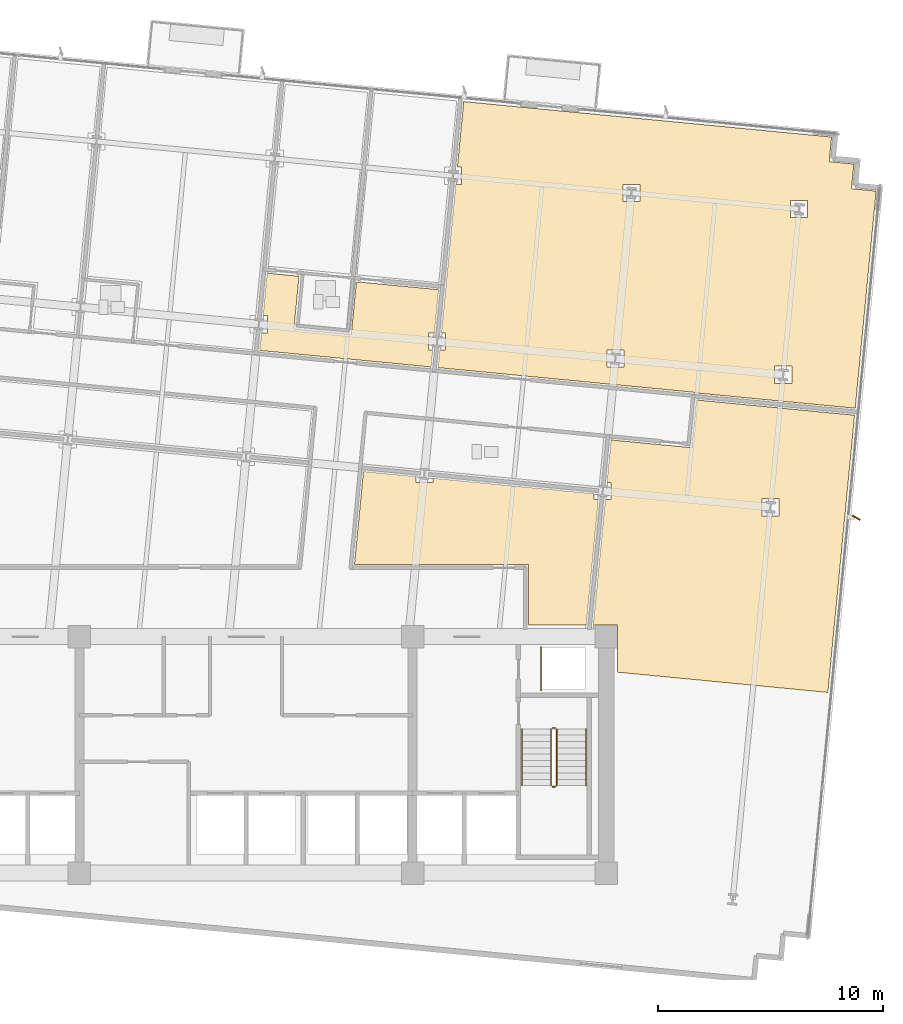
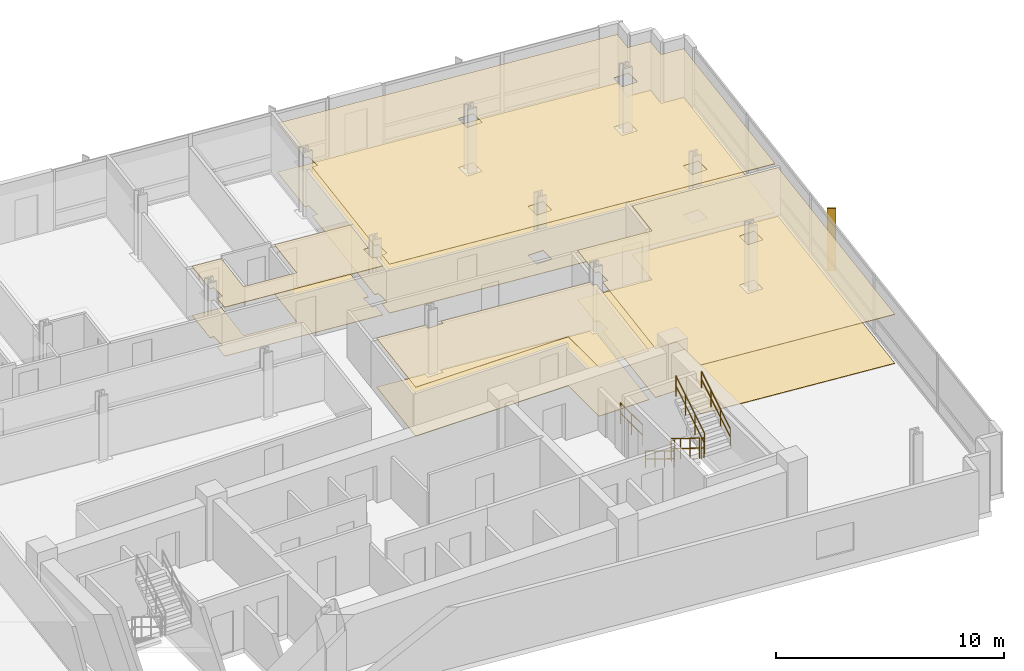
# One storey, part 15 of 17: 8 coverings, 7 railings, 1 shading device.
"""IFC4 building model written with IfcOpenShell, lengths in metres."""

from ifc_helpers import new_model, si_unit, direction, frame, origin, origin_2d, place, context, subcontext, project, spatial, polyline, rectangle, circle, outline, extrude, material, layer, layer_set, type_object, element, save


model = new_model("IFC4")

# Units and contexts
model_context = context("Model", 3, precision=1e-05, world=origin(), true_north=direction((0.0, 1.0)))
body_context = subcontext(model_context, "Body", "Model", "MODEL_VIEW")
ifc_project = project(units=[si_unit("LENGTHUNIT", "METRE"), si_unit("AREAUNIT", "SQUARE_METRE"), si_unit("VOLUMEUNIT", "CUBIC_METRE"), si_unit("PLANEANGLEUNIT", "RADIAN"), si_unit("MASSUNIT", "GRAM", prefix="KILO")], contexts=[model_context])

# Site, building, storey
site_placement = place(None, origin())
site = spatial("IfcSite", under=ifc_project, at=site_placement, CompositionType="ELEMENT")
building_placement = place(site_placement, origin())
building = spatial("IfcBuilding", under=site, at=building_placement, Name="Solmavex Isthmus Hotel", CompositionType="ELEMENT")
storey_placement = place(building_placement, frame((0.0, 0.0, 156.60009765625)))
storey = spatial("IfcBuildingStorey", under=building, at=storey_placement, Name="L42", CompositionType="ELEMENT", Elevation=156.60009765625)

# Coverings
ifc_material_1 = material(Name="Gypsum plasterboard lining", Category="gypsum")
ifc_layer_1 = layer(ifc_material_1, 0.030029296875)
ifc_layer_set_1 = layer_set([ifc_layer_1], Name="Gypsum plasterboard lining")
covering_type_1 = type_object("IfcCoveringType", Name="COV-CEIL-GYP", PredefinedType="CEILING", material=ifc_layer_set_1)
covering_1_placement = place(storey_placement, frame((0.0, 0.0, 2.619873046875)))
element("IfcCovering", 1, at=covering_1_placement, inside=storey, type_object=covering_type_1, Name="Suspended Acoustic Ceiling L42-ST05-FY", PredefinedType="CEILING", context=body_context, shape_type="SweptSolid", body=[
    extrude(outline(polyline([(4.9013671875, 13.259521484375), (4.67626953125, 10.920166015625), (2.1279296875, 11.16552734375), (2.353271484375, 13.5048828125), (0.94189453125, 13.640625), (0.759765625, 11.751220703125), (0.947509765625, 11.751220703125), (0.947509765625, 10.9912109375), (0.686767578125, 10.9912109375), (0.611328125, 10.20849609375), (4.7333984375, 9.811767578125), (5.606201171875, 9.7275390625), (8.22216796875, 9.475830078125), (8.294677734375, 10.228515625), (8.10693359375, 10.228515625), (8.10693359375, 10.988525390625), (8.36767578125, 10.988525390625), (8.552490234375, 12.907958984375), (4.9013671875, 13.259521484375)])), origin(), (0.0, 0.0, 1.0), 0.030029296875),
])
covering_2_placement = place(storey_placement, frame((0.0, 0.0, 2.619873046875)))
element("IfcCovering", 2, at=covering_2_placement, inside=storey, type_object=covering_type_1, Name="Suspended Acoustic Ceiling L42-RM06", PredefinedType="CEILING", context=body_context, shape_type="SweptSolid", body=[
    extrude(outline(polyline([(8.67919921875, 10.988525390625), (8.866943359375, 10.988525390625), (8.866943359375, 10.228515625), (8.60595703125, 10.228515625), (8.53076171875, 9.446044921875), (20.033447265625, 8.33837890625), (20.031494140625, 8.318603515625), (27.05712890625, 7.64208984375), (27.90673828125, 16.46630859375), (27.98583984375, 17.287353515625), (26.890869140625, 17.392822265625), (26.996337890625, 18.48779296875), (25.9013671875, 18.59326171875), (26.0068359375, 19.688232421875), (25.185546875, 19.767333984375), (9.66845703125, 21.261474609375), (9.3876953125, 18.346435546875), (9.575439453125, 18.346435546875), (9.575439453125, 17.586669921875), (9.314453125, 17.586669921875), (8.67919921875, 10.988525390625)]), holes=[polyline([(24.188232421875, 16.106201171875), (24.188232421875, 16.8662109375), (24.9482421875, 16.8662109375), (24.9482421875, 16.106201171875), (24.188232421875, 16.106201171875)]), polyline([(23.479736328125, 8.748291015625), (23.479736328125, 9.50830078125), (24.23974609375, 9.50830078125), (24.23974609375, 8.748291015625), (23.479736328125, 8.748291015625)]), polyline([(16.73486328125, 16.823974609375), (16.73486328125, 17.583984375), (17.494873046875, 17.583984375), (17.494873046875, 16.823974609375), (16.73486328125, 16.823974609375)]), polyline([(16.0263671875, 9.466064453125), (16.0263671875, 10.22607421875), (16.786376953125, 10.22607421875), (16.786376953125, 9.466064453125), (16.0263671875, 9.466064453125)])]), origin(), (0.0, 0.0, 1.0), 0.030029296875),
])
covering_3_placement = place(storey_placement, frame((0.0, 0.0, 2.619873046875)))
element("IfcCovering", 3, at=covering_3_placement, inside=storey, type_object=covering_type_1, Name="Suspended Acoustic Ceiling L42-FL09", PredefinedType="CEILING", context=body_context, shape_type="SweptSolid", body=[
    extrude(outline(polyline([(8.300537109375, 4.535400390625), (8.300537109375, 4.347900390625), (7.540771484375, 4.347900390625), (7.540771484375, 4.608642578125), (5.21533203125, 4.83251953125), (4.81787109375, 0.705078125), (12.554931640625, 0.705078125), (12.554931640625, -1.9951171875), (15.1103515625, -1.9951171875), (15.647705078125, 3.585205078125), (15.4599609375, 3.585205078125), (15.4599609375, 3.84619140625), (8.300537109375, 4.535400390625)])), origin(), (0.0, 0.0, 1.0), 0.030029296875),
])
covering_4_placement = place(storey_placement, frame((0.0, 0.0, 2.619873046875)))
element("IfcCovering", 4, at=covering_4_placement, inside=storey, type_object=covering_type_1, Name="Suspended Acoustic Ceiling L42-FL12", PredefinedType="CEILING", context=body_context, shape_type="SweptSolid", body=[
    extrude(outline(polyline([(16.0322265625, 4.34521484375), (16.219970703125, 4.34521484375), (16.219970703125, 3.585205078125), (15.959228515625, 3.585205078125), (15.658935546875, 0.466552734375), (15.421875, -1.9951171875), (16.5048828125, -1.9951171875), (16.5048828125, -4.08056640625), (25.841796875, -4.9794921875), (26.267822265625, -0.554931640625), (26.603271484375, 2.928955078125), (27.02734375, 7.33349609375), (20.001953125, 8.010009765625), (19.797607421875, 5.8896484375), (16.21435546875, 6.23486328125), (16.0322265625, 4.34521484375)]), holes=[polyline([(22.91357421875, 2.867431640625), (22.91357421875, 3.62744140625), (23.673583984375, 3.62744140625), (23.673583984375, 2.867431640625), (22.91357421875, 2.867431640625)])]), origin(), (0.0, 0.0, 1.0), 0.030029296875),
])
ifc_material_2 = material(Name="Travertine natural stone", Category="masonry")
ifc_layer_2 = layer(ifc_material_2, 0.02490234375)
ifc_layer_set_2 = layer_set([ifc_layer_2], Name="Travertine natural stone")
covering_type_2 = type_object("IfcCoveringType", Name="COV-FLOR-STN", PredefinedType="FLOORING", material=ifc_layer_set_2)
covering_5_placement = place(storey_placement, origin())
element("IfcCovering", 5, at=covering_5_placement, inside=storey, type_object=covering_type_2, Name="Stone and Timber Floor Finish L42-ST05-FY", PredefinedType="FLOORING", context=body_context, shape_type="SweptSolid", body=[
    extrude(outline(polyline([(4.9013671875, 13.259521484375), (4.67626953125, 10.920166015625), (2.1279296875, 11.16552734375), (2.353271484375, 13.5048828125), (0.94189453125, 13.640625), (0.759765625, 11.751220703125), (0.947509765625, 11.751220703125), (0.947509765625, 10.9912109375), (0.686767578125, 10.9912109375), (0.611328125, 10.20849609375), (4.7333984375, 9.811767578125), (5.606201171875, 9.7275390625), (8.22216796875, 9.475830078125), (8.294677734375, 10.228515625), (8.10693359375, 10.228515625), (8.10693359375, 10.988525390625), (8.36767578125, 10.988525390625), (8.552490234375, 12.907958984375), (4.9013671875, 13.259521484375)])), origin(), (0.0, 0.0, 1.0), 0.02490234375),
])
covering_6_placement = place(storey_placement, origin())
element("IfcCovering", 6, at=covering_6_placement, inside=storey, type_object=covering_type_2, Name="Stone and Timber Floor Finish L42-RM06", PredefinedType="FLOORING", context=body_context, shape_type="SweptSolid", body=[
    extrude(outline(polyline([(8.67919921875, 10.988525390625), (8.866943359375, 10.988525390625), (8.866943359375, 10.228515625), (8.60595703125, 10.228515625), (8.53076171875, 9.446044921875), (20.033447265625, 8.33837890625), (20.031494140625, 8.318603515625), (27.05712890625, 7.64208984375), (27.90673828125, 16.46630859375), (27.98583984375, 17.287353515625), (26.890869140625, 17.392822265625), (26.996337890625, 18.48779296875), (25.9013671875, 18.59326171875), (26.0068359375, 19.688232421875), (25.185546875, 19.767333984375), (9.66845703125, 21.261474609375), (9.3876953125, 18.346435546875), (9.575439453125, 18.346435546875), (9.575439453125, 17.586669921875), (9.314453125, 17.586669921875), (8.67919921875, 10.988525390625)]), holes=[polyline([(24.188232421875, 16.106201171875), (24.188232421875, 16.8662109375), (24.9482421875, 16.8662109375), (24.9482421875, 16.106201171875), (24.188232421875, 16.106201171875)]), polyline([(23.479736328125, 8.748291015625), (23.479736328125, 9.50830078125), (24.23974609375, 9.50830078125), (24.23974609375, 8.748291015625), (23.479736328125, 8.748291015625)]), polyline([(16.73486328125, 16.823974609375), (16.73486328125, 17.583984375), (17.494873046875, 17.583984375), (17.494873046875, 16.823974609375), (16.73486328125, 16.823974609375)]), polyline([(16.0263671875, 9.466064453125), (16.0263671875, 10.22607421875), (16.786376953125, 10.22607421875), (16.786376953125, 9.466064453125), (16.0263671875, 9.466064453125)])]), origin(), (0.0, 0.0, 1.0), 0.02490234375),
])
covering_7_placement = place(storey_placement, origin())
element("IfcCovering", 7, at=covering_7_placement, inside=storey, type_object=covering_type_2, Name="Stone and Timber Floor Finish L42-FL09", PredefinedType="FLOORING", context=body_context, shape_type="SweptSolid", body=[
    extrude(outline(polyline([(8.300537109375, 4.535400390625), (8.300537109375, 4.347900390625), (7.540771484375, 4.347900390625), (7.540771484375, 4.608642578125), (5.21533203125, 4.83251953125), (4.81787109375, 0.705078125), (12.554931640625, 0.705078125), (12.554931640625, -1.9951171875), (15.1103515625, -1.9951171875), (15.647705078125, 3.585205078125), (15.4599609375, 3.585205078125), (15.4599609375, 3.84619140625), (8.300537109375, 4.535400390625)])), origin(), (0.0, 0.0, 1.0), 0.02490234375),
])
covering_8_placement = place(storey_placement, origin())
element("IfcCovering", 8, at=covering_8_placement, inside=storey, type_object=covering_type_2, Name="Stone and Timber Floor Finish L42-FL12", PredefinedType="FLOORING", context=body_context, shape_type="SweptSolid", body=[
    extrude(outline(polyline([(16.0322265625, 4.34521484375), (16.219970703125, 4.34521484375), (16.219970703125, 3.585205078125), (15.959228515625, 3.585205078125), (15.658935546875, 0.466552734375), (15.421875, -1.9951171875), (16.5048828125, -1.9951171875), (16.5048828125, -4.08056640625), (25.841796875, -4.9794921875), (26.267822265625, -0.554931640625), (26.603271484375, 2.928955078125), (27.02734375, 7.33349609375), (20.001953125, 8.010009765625), (19.797607421875, 5.8896484375), (16.21435546875, 6.23486328125), (16.0322265625, 4.34521484375)]), holes=[polyline([(22.91357421875, 2.867431640625), (22.91357421875, 3.62744140625), (23.673583984375, 3.62744140625), (23.673583984375, 2.867431640625), (22.91357421875, 2.867431640625)])]), origin(), (0.0, 0.0, 1.0), 0.02490234375),
])

# Railings
ifc_material_3 = material(Name="Clear low-E laminated glass", Category="glass")
ifc_layer_3 = layer(ifc_material_3, 0.080078125)
ifc_layer_set_3 = layer_set([ifc_layer_3], Name="Clear low-E laminated glass")
railing_type_1 = type_object("IfcRailingType", Name="RAIL-ATRIUM-1120", PredefinedType="BALUSTRADE", material=ifc_layer_set_3)
railing_1_placement = place(storey_placement, frame((13.10009765625, -4.89990234375, 0.0)))
element("IfcRailing", 9, at=railing_1_placement, inside=storey, type_object=railing_type_1, Name="Guardrail Balustrade L42-RSE-01", PredefinedType="BALUSTRADE", context=body_context, shape_type="SweptSolid", body=[
    extrude(circle(Radius=0.02392578125, at=origin_2d()), frame((0.0, 0.0, 1.1259765625), z_axis=(0.0, 1.0, 0.0), x_axis=(-1.0, 0.0, 0.0)), (0.0, 0.0, 1.0), 1.949951171875),
    extrude(circle(Radius=0.02392578125, at=origin_2d()), frame((0.0, 0.0, 0.574951171875), z_axis=(0.0, 1.0, 0.0), x_axis=(-1.0, 0.0, 0.0)), (0.0, 0.0, 1.0), 1.949951171875),
    extrude(circle(Radius=0.02099609375, at=origin_2d()), origin(), (0.0, 0.0, 1.0), 1.101806640625),
    extrude(circle(Radius=0.02099609375, at=origin_2d()), frame((0.0, 0.97509765625, 0.0)), (0.0, 0.0, 1.0), 1.101806640625),
    extrude(circle(Radius=0.02099609375, at=origin_2d()), frame((0.0, 1.949951171875, 0.0)), (0.0, 0.0, 1.0), 1.101806640625),
])
ifc_material_4 = material(Name="Stainless steel 316", Category="steel")
ifc_layer_4 = layer(ifc_material_4, 0.06005859375)
ifc_layer_set_4 = layer_set([ifc_layer_4], Name="Stainless steel 316")
railing_type_2 = type_object("IfcRailingType", Name="RAIL-STAIR-GD", PredefinedType="GUARDRAIL", material=ifc_layer_set_4)
railing_2_placement = place(storey_placement, frame((13.550048828125, -6.60009765625, 0.17236328125)))
element("IfcRailing", 10, at=railing_2_placement, inside=storey, type_object=railing_type_2, Name="L42 ST-2 stair guard 1", PredefinedType="GUARDRAIL", context=body_context, shape_type="SweptSolid", body=[
    extrude(circle(Radius=0.02392578125, at=origin_2d()), frame((0.0, 0.0, 1.09619140625), z_axis=(0.0, -0.851400495292, 0.524516154772), x_axis=(1.0, 0.0, 0.0)), (0.0, 0.0, 1.0), 2.9599609375),
    extrude(circle(Radius=0.02392578125, at=origin_2d()), frame((0.0, 0.0, 0.56005859375), z_axis=(0.0, -0.851400495292, 0.524516154772), x_axis=(1.0, 0.0, 0.0)), (0.0, 0.0, 1.0), 2.9599609375),
    extrude(circle(Radius=0.02099609375, at=origin_2d()), origin(), (0.0, 0.0, 1.0), 1.072021484375),
    extrude(circle(Radius=0.02099609375, at=origin_2d()), frame((0.0, -0.840087890625, 0.517578125)), (0.0, 0.0, 1.0), 1.072021484375),
    extrude(circle(Radius=0.02099609375, at=origin_2d()), frame((0.0, -1.679931640625, 1.034912109375)), (0.0, 0.0, 1.0), 1.072021484375),
    extrude(circle(Radius=0.02099609375, at=origin_2d()), frame((0.0, -2.52001953125, 1.552490234375)), (0.0, 0.0, 1.0), 1.072021484375),
])
railing_3_placement = place(storey_placement, frame((13.60009765625, -9.169921875, 1.724853515625)))
element("IfcRailing", 11, at=railing_3_placement, inside=storey, type_object=railing_type_2, Name="L42 ST-2 stair guard 2", PredefinedType="GUARDRAIL", context=body_context, shape_type="SweptSolid", body=[
    extrude(circle(Radius=0.02392578125, at=origin_2d()), frame((0.0, 0.0, 1.09619140625), z_axis=(1.0, 0.0, 0.0), x_axis=(0.0, 1.0, 0.0)), (0.0, 0.0, 1.0), 0.14990234375),
    extrude(circle(Radius=0.02392578125, at=origin_2d()), frame((0.0, 0.0, 0.56005859375), z_axis=(1.0, 0.0, 0.0), x_axis=(0.0, 1.0, 0.0)), (0.0, 0.0, 1.0), 0.14990234375),
    extrude(circle(Radius=0.02099609375, at=origin_2d()), origin(), (0.0, 0.0, 1.0), 1.072021484375),
    extrude(circle(Radius=0.02099609375, at=origin_2d()), frame((0.14990234375, 0.0, 0.0)), (0.0, 0.0, 1.0), 1.072021484375),
])
railing_4_placement = place(storey_placement, frame((13.800048828125, -9.1201171875, 1.8974609375)))
element("IfcRailing", 12, at=railing_4_placement, inside=storey, type_object=railing_type_2, Name="L42 ST-2 stair guard 3", PredefinedType="GUARDRAIL", context=body_context, shape_type="SweptSolid", body=[
    extrude(circle(Radius=0.02392578125, at=origin_2d()), frame((0.0, 0.0, 1.09619140625), z_axis=(0.0, 0.851400495292, 0.524516154772), x_axis=(-1.0, 0.0, 0.0)), (0.0, 0.0, 1.0), 2.9599609375),
    extrude(circle(Radius=0.02392578125, at=origin_2d()), frame((0.0, 0.0, 0.56005859375), z_axis=(0.0, 0.851400495292, 0.524516154772), x_axis=(-1.0, 0.0, 0.0)), (0.0, 0.0, 1.0), 2.9599609375),
    extrude(circle(Radius=0.02099609375, at=origin_2d()), origin(), (0.0, 0.0, 1.0), 1.072021484375),
    extrude(circle(Radius=0.02099609375, at=origin_2d()), frame((0.0, 0.840087890625, 0.517578125)), (0.0, 0.0, 1.0), 1.072021484375),
    extrude(circle(Radius=0.02099609375, at=origin_2d()), frame((0.0, 1.679931640625, 1.034912109375)), (0.0, 0.0, 1.0), 1.072021484375),
    extrude(circle(Radius=0.02099609375, at=origin_2d()), frame((0.0, 2.52001953125, 1.552490234375)), (0.0, 0.0, 1.0), 1.072021484375),
])
railing_5_placement = place(storey_placement, frame((13.60009765625, -6.550048828125, 0.0)))
element("IfcRailing", 13, at=railing_5_placement, inside=storey, type_object=railing_type_2, Name="L42 ST-2 stair guard 4", PredefinedType="GUARDRAIL", context=body_context, shape_type="SweptSolid", body=[
    extrude(circle(Radius=0.02392578125, at=origin_2d()), frame((0.0, 0.0, 1.09619140625), z_axis=(1.0, 0.0, 0.0), x_axis=(0.0, 1.0, 0.0)), (0.0, 0.0, 1.0), 0.14990234375),
    extrude(circle(Radius=0.02392578125, at=origin_2d()), frame((0.0, 0.0, 0.56005859375), z_axis=(1.0, 0.0, 0.0), x_axis=(0.0, 1.0, 0.0)), (0.0, 0.0, 1.0), 0.14990234375),
    extrude(circle(Radius=0.02099609375, at=origin_2d()), origin(), (0.0, 0.0, 1.0), 1.072021484375),
    extrude(circle(Radius=0.02099609375, at=origin_2d()), frame((0.14990234375, 0.0, 0.0)), (0.0, 0.0, 1.0), 1.072021484375),
])
ifc_layer_5 = layer(ifc_material_4, 0.050048828125)
ifc_layer_set_5 = layer_set([ifc_layer_5], Name="Stainless steel 316")
railing_type_3 = type_object("IfcRailingType", Name="RAIL-STAIR-HR", PredefinedType="HANDRAIL", material=ifc_layer_set_5)
railing_6_placement = place(storey_placement, frame((12.25, -6.60009765625, 0.17236328125)))
element("IfcRailing", 14, at=railing_6_placement, inside=storey, type_object=railing_type_3, Name="L42 ST-2 stair handrail 1", PredefinedType="HANDRAIL", context=body_context, shape_type="SweptSolid", body=[
    extrude(circle(Radius=0.02392578125, at=origin_2d()), frame((0.0, 0.0, 0.8759765625), z_axis=(0.0, -0.851400495292, 0.524516154772), x_axis=(1.0, 0.0, 0.0)), (0.0, 0.0, 1.0), 2.9599609375),
    extrude(circle(Radius=0.02392578125, at=origin_2d()), frame((0.0, 0.0, 0.449951171875), z_axis=(0.0, -0.851400495292, 0.524516154772), x_axis=(1.0, 0.0, 0.0)), (0.0, 0.0, 1.0), 2.9599609375),
    extrude(circle(Radius=0.02099609375, at=origin_2d()), origin(), (0.0, 0.0, 1.0), 0.851806640625),
    extrude(circle(Radius=0.02099609375, at=origin_2d()), frame((0.0, -0.840087890625, 0.517578125)), (0.0, 0.0, 1.0), 0.851806640625),
    extrude(circle(Radius=0.02099609375, at=origin_2d()), frame((0.0, -1.679931640625, 1.034912109375)), (0.0, 0.0, 1.0), 0.851806640625),
    extrude(circle(Radius=0.02099609375, at=origin_2d()), frame((0.0, -2.52001953125, 1.552490234375)), (0.0, 0.0, 1.0), 0.851806640625),
])
railing_7_placement = place(storey_placement, frame((15.10009765625, -9.1201171875, 1.8974609375)))
element("IfcRailing", 15, at=railing_7_placement, inside=storey, type_object=railing_type_3, Name="L42 ST-2 stair handrail 2", PredefinedType="HANDRAIL", context=body_context, shape_type="SweptSolid", body=[
    extrude(circle(Radius=0.02392578125, at=origin_2d()), frame((0.0, 0.0, 0.8759765625), z_axis=(0.0, 0.851400495292, 0.524516154772), x_axis=(-1.0, 0.0, 0.0)), (0.0, 0.0, 1.0), 2.9599609375),
    extrude(circle(Radius=0.02392578125, at=origin_2d()), frame((0.0, 0.0, 0.449951171875), z_axis=(0.0, 0.851400495292, 0.524516154772), x_axis=(-1.0, 0.0, 0.0)), (0.0, 0.0, 1.0), 2.9599609375),
    extrude(circle(Radius=0.02099609375, at=origin_2d()), origin(), (0.0, 0.0, 1.0), 0.851806640625),
    extrude(circle(Radius=0.02099609375, at=origin_2d()), frame((0.0, 0.840087890625, 0.517578125)), (0.0, 0.0, 1.0), 0.851806640625),
    extrude(circle(Radius=0.02099609375, at=origin_2d()), frame((0.0, 1.679931640625, 1.034912109375)), (0.0, 0.0, 1.0), 0.851806640625),
    extrude(circle(Radius=0.02099609375, at=origin_2d()), frame((0.0, 2.52001953125, 1.552490234375)), (0.0, 0.0, 1.0), 0.851806640625),
])

# Shading device
ifc_material_5 = material(Name="Aluminium alloy 6063-T6", Category="aluminium")
shading_device_type = type_object("IfcShadingDeviceType", Name="SHD-FIN-CHAMP", PredefinedType="USERDEFINED", material=ifc_material_5)
shading_device_placement = place(storey_placement, frame((27.106201171875, 2.780029296875, -0.14013671875), z_axis=(0.0, 0.0, 1.0), x_axis=(0.87035569594, -0.492423560103, 0.0)))
element("IfcShadingDevice", 16, at=shading_device_placement, inside=storey, type_object=shading_device_type, Name="Anodised Aluminium Solar Fin L42-E1", ObjectType="SOLAR_FIN", PredefinedType="USERDEFINED", context=body_context, shape_type="SweptSolid", body=[
    extrude(rectangle(XDim=0.3798828125, YDim=0.070068359375, at=origin_2d()), origin(), (0.0, 0.0, 1.0), 3.330078125),
])

save(model, "model.ifc")
